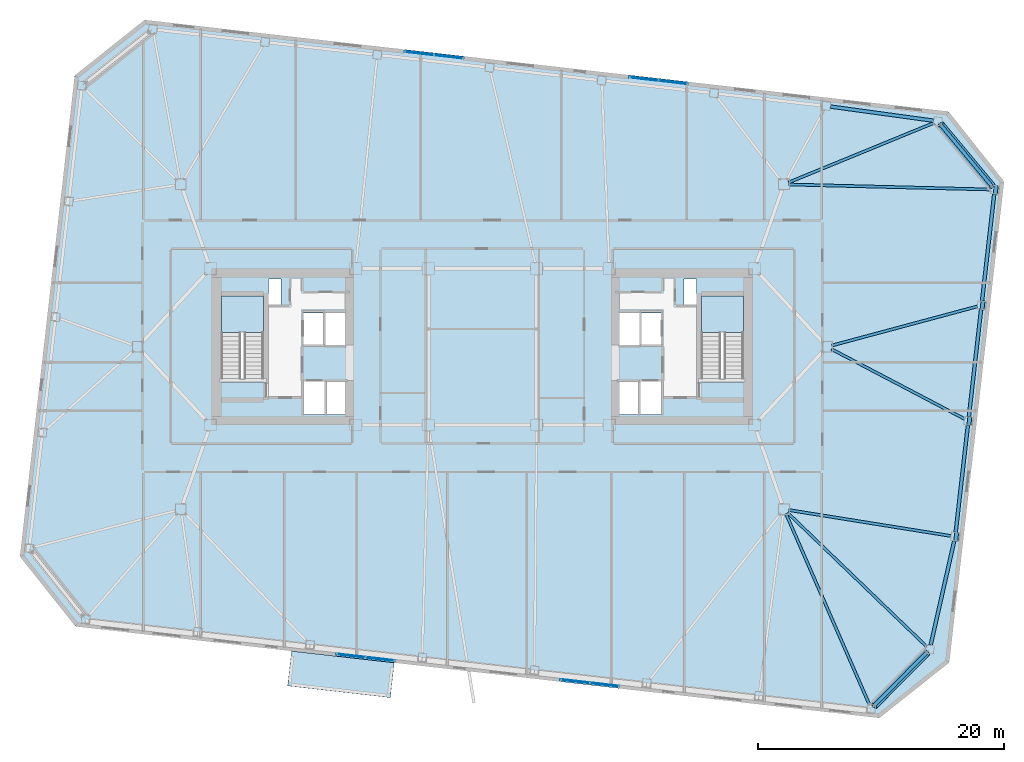
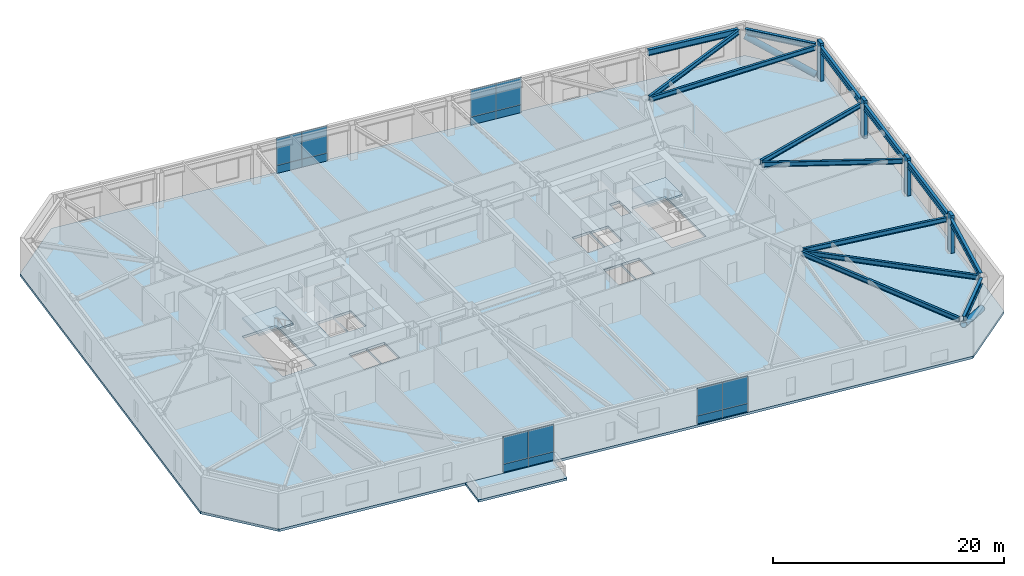
# One storey, part 10 of 20: 16 plates, 14 beams, 6 members, 4 slabs, 6 elements without a shape of their own.
"""IFC4 building model written with IfcOpenShell, lengths in metres."""

import ifcopenshell
import ifcopenshell.guid

model = None  # the IFC model being written
_history = None  # IfcOwnerHistory: only IFC2X3 demands one
_inside = {}  # id of a spatial element -> (the spatial element, [elements in it])
_under = {}  # id of a project, library or spatial element -> (it, [spatial elements below it])
_declared = {}  # id of a project -> (the project, [libraries it declares])
_typed = {}  # id of a type object -> (the type object, [elements of that type])
_made_of = {}  # id of a material, layer set ... -> (it, [elements and type objects made of it])


def new_model(schema):
    """Start an empty IFC model of exactly this schema.

    Asked for "IFC4X3", IfcOpenShell would pick the latest addendum, in which some entities
    have other attributes; the version numbers below select the first issue.
    IFC2X3 requires an IfcOwnerHistory on every rooted entity: one is made here for all.
    """
    global model, _history
    if schema == "IFC4X3":
        model = ifcopenshell.file(schema_version=(4, 3, 0, 0))
    else:
        model = ifcopenshell.file(schema=schema)
    _inside.clear()
    _under.clear()
    _declared.clear()
    _typed.clear()
    _made_of.clear()
    _history = None
    if model.schema == "IFC2X3":
        org = make("IfcOrganization", Name="unknown")
        user = make(
            "IfcPersonAndOrganization",
            ThePerson=make("IfcPerson", FamilyName="unknown"),
            TheOrganization=org,
        )
        app = make(
            "IfcApplication",
            ApplicationDeveloper=org,
            Version="unknown",
            ApplicationFullName="unknown",
            ApplicationIdentifier="unknown",
        )
        _history = make(
            "IfcOwnerHistory",
            OwningUser=user,
            OwningApplication=app,
            ChangeAction="ADDED",
            CreationDate=0,
        )
    return model


def make(cls, **values):
    """One entity of the class cls with the attributes given. An attribute that is None is left unset."""
    return model.create_entity(
        cls, **{name: value for name, value in values.items() if value is not None}
    )


def rooted(cls, **values):
    """An entity with a GlobalId (a new one), such as an element, a storey or a relation."""
    return make(cls, GlobalId=ifcopenshell.guid.new(), OwnerHistory=_history, **values)


def si_unit(unit_type, name, prefix=None):
    """IfcSIUnit, for example si_unit("LENGTHUNIT", "METRE", prefix="MILLI")."""
    return make("IfcSIUnit", UnitType=unit_type, Prefix=prefix, Name=name)


def assignment(units):
    """IfcUnitAssignment: the units of a project."""
    return None if units is None else make("IfcUnitAssignment", Units=units)


def point(xyz):
    """IfcCartesianPoint."""
    return None if xyz is None else make("IfcCartesianPoint", Coordinates=xyz)


def direction(xyz):
    """IfcDirection."""
    return None if xyz is None else make("IfcDirection", DirectionRatios=xyz)


def frame(location, z_axis=None, x_axis=None):
    """IfcAxis2Placement3D, a coordinate frame: its origin and axes. An axis left out is left unset."""
    return make(
        "IfcAxis2Placement3D",
        Location=point(location),
        Axis=direction(z_axis),
        RefDirection=direction(x_axis),
    )


def frame_2d(location, x_axis=None):
    """IfcAxis2Placement2D, a coordinate frame in the plane: its origin and x axis."""
    return make(
        "IfcAxis2Placement2D", Location=point(location), RefDirection=direction(x_axis)
    )


def origin():
    """The frame at (0, 0, 0) with its axes left unset."""
    return frame((0.0, 0.0, 0.0))


def origin_2d():
    """The frame at (0, 0) in the plane with its x axis left unset."""
    return frame_2d((0.0, 0.0))


def place(relative_to, where):
    """IfcLocalPlacement: puts the frame where relative to a parent placement (None: the world)."""
    return make(
        "IfcLocalPlacement", PlacementRelTo=relative_to, RelativePlacement=where
    )


def context(
    kind, dimensions, precision=None, world=None, true_north=None, identifier=None
):
    """IfcGeometricRepresentationContext, for example the 3D "Model" context."""
    return make(
        "IfcGeometricRepresentationContext",
        ContextIdentifier=identifier,
        ContextType=kind,
        CoordinateSpaceDimension=dimensions,
        Precision=precision,
        WorldCoordinateSystem=world,
        TrueNorth=true_north,
    )


def subcontext(parent, identifier, kind, view, scale=None):
    """IfcGeometricRepresentationSubContext, for example "Body" below "Model"."""
    return make(
        "IfcGeometricRepresentationSubContext",
        ContextIdentifier=identifier,
        ContextType=kind,
        ParentContext=parent,
        TargetScale=scale,
        TargetView=view,
    )


def project(units=None, contexts=None):
    """IfcProject with its units and contexts."""
    return rooted(
        "IfcProject",
        Name="project",
        RepresentationContexts=contexts,
        UnitsInContext=assignment(units),
    )


def spatial(cls, under=None, at=None, **own):
    """A site, building, storey or space (cls), placed at a placement, below another one or the project."""
    s = rooted(cls, ObjectPlacement=at, **own)
    if under is not None:
        _under.setdefault(under.id(), (under, []))[1].append(s)
    return s


def polyline(points):
    """IfcPolyline through the points."""
    return make("IfcPolyline", Points=[point(p) for p in points])


def profile(cls, at=None, kind="AREA", **sizes):
    """A parametric profile (cls). Its sizes go by their IFC names, for example OverallWidth=200.0."""
    return make(cls, ProfileType=kind, Position=at, **sizes)


def rectangle(**sizes):
    """IfcRectangleProfileDef."""
    return profile("IfcRectangleProfileDef", **sizes)


def hollow_circle(**sizes):
    """IfcCircleHollowProfileDef."""
    return profile("IfcCircleHollowProfileDef", **sizes)


def i_section(**sizes):
    """IfcIShapeProfileDef."""
    return profile("IfcIShapeProfileDef", **sizes)


def outline(outer, holes=None, kind="AREA"):
    """IfcArbitraryClosedProfileDef: a profile drawn as a closed curve; with holes, ...WithVoids."""
    if holes is None:
        return make("IfcArbitraryClosedProfileDef", ProfileType=kind, OuterCurve=outer)
    return make(
        "IfcArbitraryProfileDefWithVoids",
        ProfileType=kind,
        OuterCurve=outer,
        InnerCurves=holes,
    )


def extrude(swept, where, along, depth):
    """IfcExtrudedAreaSolid: the profile swept, set in the frame where, extruded along a direction by depth."""
    return make(
        "IfcExtrudedAreaSolid",
        SweptArea=swept,
        Position=where,
        ExtrudedDirection=direction(along),
        Depth=depth,
    )


def shape(context_of_items, identifier, shape_type, items):
    """IfcShapeRepresentation: the items that make up one representation, for example the "Body"."""
    return make(
        "IfcShapeRepresentation",
        ContextOfItems=context_of_items,
        RepresentationIdentifier=identifier,
        RepresentationType=shape_type,
        Items=items,
    )


def material(Name=None, Category=None):
    """IfcMaterial."""
    return make("IfcMaterial", Name=Name, Category=Category)


def layer(
    of_material, thickness, ventilated=None, Name=None, Category=None, Priority=None
):
    """IfcMaterialLayer: one layer of a wall or slab, of a material (None: an air gap)."""
    return make(
        "IfcMaterialLayer",
        Material=of_material,
        LayerThickness=thickness,
        IsVentilated=ventilated,
        Name=Name,
        Category=Category,
        Priority=Priority,
    )


def layer_set(layers, Name=None):
    """IfcMaterialLayerSet."""
    return make("IfcMaterialLayerSet", MaterialLayers=layers, LayerSetName=Name)


def material_profile(
    of_material, cross_section, Name=None, Category=None, Priority=None
):
    """IfcMaterialProfile: a cross section and its material."""
    return make(
        "IfcMaterialProfile",
        Name=Name,
        Material=of_material,
        Profile=cross_section,
        Priority=Priority,
        Category=Category,
    )


def profile_set(profiles, Name=None, composite=None):
    """IfcMaterialProfileSet."""
    return make(
        "IfcMaterialProfileSet",
        Name=Name,
        MaterialProfiles=profiles,
        CompositeProfile=composite,
    )


def made_of(thing, what):
    """Note that an element or type object is made of a material, layer set ...; save() writes the relation."""
    if what is not None:
        _made_of.setdefault(what.id(), (what, []))[1].append(thing)
    return thing


def type_object(cls, material=None, **own):
    """A type object (cls), such as IfcWallType, which elements share."""
    return made_of(rooted(cls, **own), material)


def element(
    cls,
    number,
    at=None,
    inside=None,
    cuts=None,
    type_object=None,
    material=None,
    context=None,
    identifier="Body",
    shape_type=None,
    held_by="IfcProductDefinitionShape",
    body=None,
    shapes=None,
    **own,
):
    """One element of the class cls, such as IfcWall. Its Tag is "e" and its number.

    at: its placement. inside: the storey or other place that contains it. cuts: it is an
    opening in that element (IfcRelVoidsElement). A single representation is given by context,
    identifier, shape_type and body (its items); several are given by shapes. held_by: the class
    of the entity that holds the representations. save() writes the other relations.
    """
    e = rooted(cls, Tag="e%d" % number, ObjectPlacement=at, **own)
    if body is not None:
        shapes = [shape(context, identifier, shape_type, body)]
    if shapes is not None:
        e.Representation = make(held_by, Representations=shapes)
    if inside is not None:
        _inside.setdefault(inside.id(), (inside, []))[1].append(e)
    if cuts is not None:
        rooted(
            "IfcRelVoidsElement", RelatingBuildingElement=cuts, RelatedOpeningElement=e
        )
    if type_object is not None:
        _typed.setdefault(type_object.id(), (type_object, []))[1].append(e)
    return made_of(e, material)


def aggregate(whole, parts):
    """IfcRelAggregates: a whole, such as a stair, and the parts it consists of."""
    return rooted("IfcRelAggregates", RelatingObject=whole, RelatedObjects=parts)


def save(model, path):
    """Write the relations noted so far, then the file.

    IfcRelAggregates (storeys below a building ...), IfcRelContainedInSpatialStructure (elements
    in a storey), IfcRelDefinesByType, IfcRelAssociatesMaterial and IfcRelDeclares: one each for
    every whole, place, type object, material and project.
    """
    for whole, parts in _under.values():
        aggregate(whole, parts)
    for where, things in _inside.values():
        rooted(
            "IfcRelContainedInSpatialStructure",
            RelatedElements=things,
            RelatingStructure=where,
        )
    for kind, things in _typed.values():
        rooted("IfcRelDefinesByType", RelatedObjects=things, RelatingType=kind)
    for what, things in _made_of.values():
        rooted("IfcRelAssociatesMaterial", RelatedObjects=things, RelatingMaterial=what)
    for by, libraries in _declared.values():
        rooted("IfcRelDeclares", RelatingContext=by, RelatedDefinitions=libraries)
    model.write(path)


model = new_model("IFC4")

# Units and contexts
model_context = context("Model", 3, precision=1e-05, world=origin(), true_north=direction((0.0, 1.0)))
body_context = subcontext(model_context, "Body", "Model", "MODEL_VIEW")
ifc_project = project(units=[si_unit("LENGTHUNIT", "METRE"), si_unit("AREAUNIT", "SQUARE_METRE"), si_unit("VOLUMEUNIT", "CUBIC_METRE"), si_unit("PLANEANGLEUNIT", "RADIAN"), si_unit("MASSUNIT", "GRAM", prefix="KILO")], contexts=[model_context])

# Site, building, storey
site_placement = place(None, origin())
site = spatial("IfcSite", under=ifc_project, at=site_placement, CompositionType="ELEMENT")
building_placement = place(site_placement, origin())
building = spatial("IfcBuilding", under=site, at=building_placement, Name="Tavrogorsk Clinical Tower", CompositionType="ELEMENT")
storey_placement = place(building_placement, frame((0.0, 0.0, 105.39990234375)))
storey = spatial("IfcBuildingStorey", under=building, at=storey_placement, Name="L23", CompositionType="ELEMENT", Elevation=105.39990234375)

# Members
ifc_material_1 = material(Name="Structural steel S440", Category="steel")
ifc_material_profile_1 = material_profile(ifc_material_1, hollow_circle(Radius=0.304931640625, WallThickness=0.02490234375, at=origin_2d()), Name="CHS-610x25")
ifc_profile_set_1 = profile_set([ifc_material_profile_1], Name="Structural steel S440")
member_type_1 = type_object("IfcMemberType", Name="ExoBrace_CHS610", PredefinedType="BRACE", material=ifc_profile_set_1)
member_1_placement = place(storey_placement, frame((36.1025390625, -24.82763671875, 0.4345703125), z_axis=(-0.651430241483, -0.659222469252, 0.375585378463), x_axis=(0.711298174517, -0.702890394677, 0.0)))
element("IfcMember", 1, at=member_1_placement, inside=storey, type_object=member_type_1, Name="L23 Corner Exoskeleton Brace S8-E1", PredefinedType="BRACE", context=body_context, shape_type="SweptSolid", body=[
    extrude(hollow_circle(Radius=0.304931640625, WallThickness=0.02490234375, at=origin_2d()), origin(), (0.0, 0.0, 1.0), 6.57958984375),
])
member_2_placement = place(storey_placement, frame((41.40771484375, 13.03076171875, 0.427001953125), z_axis=(-0.598616328588, 0.718269947263, 0.354607915882), x_axis=(-0.768190751014, -0.640221032189, 0.0)))
element("IfcMember", 2, at=member_2_placement, inside=storey, type_object=member_type_1, Name="L23 Corner Exoskeleton Brace E5-N1", PredefinedType="BRACE", context=body_context, shape_type="SweptSolid", body=[
    extrude(hollow_circle(Radius=0.304931640625, WallThickness=0.02490234375, at=origin_2d()), origin(), (0.0, 0.0, 1.0), 7.0107421875),
])

# Beams
ifc_material_2 = material(Name="Structural steel S355", Category="steel")
ifc_material_profile_2 = material_profile(ifc_material_2, i_section(OverallWidth=0.219970703125, OverallDepth=0.5, WebThickness=0.012939453125, FlangeThickness=0.02001953125, at=origin_2d()), Name="B-500x220x13x20")
ifc_profile_set_2 = profile_set([ifc_material_profile_2], Name="Structural steel S355")
beam_type_1 = type_object("IfcBeamType", Name="FloorBeam_B500", PredefinedType="BEAM", material=ifc_profile_set_2)
beam_1_placement = place(storey_placement, frame((24.664306640625, -13.57568359375, 3.489990234375), z_axis=(0.400586354613, -0.916259009504, 0.0), x_axis=(0.916259009504, 0.400586354613, 0.0)))
element("IfcBeam", 3, at=beam_1_placement, inside=storey, type_object=beam_type_1, Name="L23 Radial Floor Beam S8", PredefinedType="BEAM", context=body_context, shape_type="SweptSolid", body=[
    extrude(i_section(OverallWidth=0.219970703125, OverallDepth=0.5, WebThickness=0.012939453125, FlangeThickness=0.02001953125, at=origin_2d()), origin(), (0.0, 0.0, 1.0), 16.91357421875),
])
beam_2_placement = place(storey_placement, frame((24.87939453125, 13.35546875, 3.489990234375), z_axis=(0.925250223374, 0.379357383143, 0.0), x_axis=(-0.379357383143, 0.925250223374, 0.0)))
element("IfcBeam", 4, at=beam_2_placement, inside=storey, type_object=beam_type_1, Name="L23 Radial Floor Beam N1", PredefinedType="BEAM", context=body_context, shape_type="SweptSolid", body=[
    extrude(i_section(OverallWidth=0.219970703125, OverallDepth=0.5, WebThickness=0.012939453125, FlangeThickness=0.02001953125, at=origin_2d()), origin(), (0.0, 0.0, 1.0), 12.738037109375),
])
beam_3_placement = place(storey_placement, frame((24.79541015625, -13.484375, 3.489990234375), z_axis=(0.720494740362, -0.693460401977, 0.0), x_axis=(0.693460401977, 0.720494740362, 0.0)))
element("IfcBeam", 5, at=beam_3_placement, inside=storey, type_object=beam_type_1, Name="L23 Radial Floor Beam E1", PredefinedType="BEAM", context=body_context, shape_type="SweptSolid", body=[
    extrude(i_section(OverallWidth=0.219970703125, OverallDepth=0.5, WebThickness=0.012939453125, FlangeThickness=0.02001953125, at=origin_2d()), origin(), (0.0, 0.0, 1.0), 15.659423828125),
])
beam_4_placement = place(storey_placement, frame((24.90478515625, -13.2646484375, 3.489990234375), z_axis=(0.987456527754, -0.157891120067, 0.0), x_axis=(0.157891120067, 0.987456527754, 0.0)))
element("IfcBeam", 6, at=beam_4_placement, inside=storey, type_object=beam_type_1, Name="L23 Radial Floor Beam E2", PredefinedType="BEAM", context=body_context, shape_type="SweptSolid", body=[
    extrude(i_section(OverallWidth=0.219970703125, OverallDepth=0.5, WebThickness=0.012939453125, FlangeThickness=0.02001953125, at=origin_2d()), origin(), (0.0, 0.0, 1.0), 13.31787109375),
])
beam_5_placement = place(storey_placement, frame((28.363037109375, -0.1904296875, 3.489990234375), z_axis=(0.885467298335, -0.464701693111, 0.0), x_axis=(0.464701693111, 0.885467298335, 0.0)))
element("IfcBeam", 7, at=beam_5_placement, inside=storey, type_object=beam_type_1, Name="L23 Radial Floor Beam E3", PredefinedType="BEAM", context=body_context, shape_type="SweptSolid", body=[
    extrude(i_section(OverallWidth=0.219970703125, OverallDepth=0.5, WebThickness=0.012939453125, FlangeThickness=0.02001953125, at=origin_2d()), origin(), (0.0, 0.0, 1.0), 12.197021484375),
])
beam_6_placement = place(storey_placement, frame((28.39599609375, 0.1064453125, 3.489990234375), z_axis=(0.965705720144, 0.259639099677, 0.0), x_axis=(-0.259639099677, 0.965705720144, 0.0)))
element("IfcBeam", 8, at=beam_6_placement, inside=storey, type_object=beam_type_1, Name="L23 Radial Floor Beam E4", PredefinedType="BEAM", context=body_context, shape_type="SweptSolid", body=[
    extrude(i_section(OverallWidth=0.219970703125, OverallDepth=0.5, WebThickness=0.012939453125, FlangeThickness=0.02001953125, at=origin_2d()), origin(), (0.0, 0.0, 1.0), 12.228759765625),
])
beam_7_placement = place(storey_placement, frame((24.909912109375, 13.189697265625, 3.489990234375), z_axis=(0.999690121031, -0.024893009314, 0.0), x_axis=(0.024893009314, 0.999690121031, 0.0)))
element("IfcBeam", 9, at=beam_7_placement, inside=storey, type_object=beam_type_1, Name="L23 Radial Floor Beam E5", PredefinedType="BEAM", context=body_context, shape_type="SweptSolid", body=[
    extrude(i_section(OverallWidth=0.219970703125, OverallDepth=0.5, WebThickness=0.012939453125, FlangeThickness=0.02001953125, at=origin_2d()), origin(), (0.0, 0.0, 1.0), 16.359130859375),
])

# Members
ifc_material_3 = material(Name="Precast concrete B45 with limestone cladding", Category="masonry")
ifc_material_profile_3 = material_profile(ifc_material_3, rectangle(XDim=0.320068359375, YDim=0.719970703125, at=origin_2d()), Name="LIMESTONE-FIN-320x720")
ifc_profile_set_3 = profile_set([ifc_material_profile_3], Name="Precast concrete B45 with limestone cladding")
member_type_2 = type_object("IfcMemberType", Name="LimestonePleatFin_320x720", PredefinedType="USERDEFINED", material=ifc_profile_set_3)
for number, where, z_axis, x_axis, name in (
    (10, (38.48876953125, -15.432861328125, 0.0), (0.0, 0.0, 1.0), (0.993571855677, -0.113203213768, 0.0), "L23 E Pleated Stone Fin 1"),
    (11, (39.5595703125, -6.03369140625, 0.0), (0.0, 0.0, 1.0), (0.993571855677, -0.113203213768, 0.0), "L23 E Pleated Stone Fin 2"),
    (12, (40.63037109375, 3.365234375, 0.0), (0.0, 0.0, 1.0), (0.993571855677, -0.113203213768, 0.0), "L23 E Pleated Stone Fin 3"),
    (13, (41.701416015625, 12.7646484375, 0.0), (0.0, 0.0, 1.0), (0.993571855677, -0.113203213768, 0.0), "L23 E Pleated Stone Fin 4"),
):
    element("IfcMember", number, at=place(storey_placement, frame(where, z_axis=z_axis, x_axis=x_axis)), inside=storey, type_object=member_type_2, Name=name, ObjectType="FIN", PredefinedType="USERDEFINED", context=body_context, shape_type="SweptSolid", body=[
        extrude(rectangle(XDim=0.320068359375, YDim=0.719970703125, at=origin_2d()), origin(), (0.0, 0.0, 1.0), 4.0),
    ])

# Beams
ifc_material_4 = material(Name="Structural steel S390", Category="steel")
ifc_material_profile_4 = material_profile(ifc_material_4, i_section(OverallWidth=0.280029296875, OverallDepth=0.64990234375, WebThickness=0.01611328125, FlangeThickness=0.02490234375, at=origin_2d()), Name="B-650x280x16x25")
ifc_profile_set_4 = profile_set([ifc_material_profile_4], Name="Structural steel S390")
beam_type_2 = type_object("IfcBeamType", Name="SpandrelBeam_B650", PredefinedType="SPANDREL", material=ifc_profile_set_4)
beam_8_placement = place(storey_placement, frame((31.834716796875, -29.146240234375, 3.4150390625), z_axis=(0.702934929184, 0.711254163667, 0.0), x_axis=(-0.711254163667, 0.702934929184, 0.0)))
element("IfcBeam", 14, at=beam_8_placement, inside=storey, type_object=beam_type_2, Name="L23 Perimeter Spandrel S8-E1", PredefinedType="SPANDREL", context=body_context, shape_type="SweptSolid", body=[
    extrude(i_section(OverallWidth=0.280029296875, OverallDepth=0.64990234375, WebThickness=0.01611328125, FlangeThickness=0.02490234375, at=origin_2d()), origin(), (0.0, 0.0, 1.0), 6.04541015625),
])
beam_9_placement = place(storey_placement, frame((36.414794921875, -24.242431640625, 3.4150390625), z_axis=(0.220602599501, 0.975363774749, 0.0), x_axis=(-0.975363774749, 0.220602599501, 0.0)))
element("IfcBeam", 15, at=beam_9_placement, inside=storey, type_object=beam_type_2, Name="L23 Perimeter Spandrel E1-E2", PredefinedType="SPANDREL", context=body_context, shape_type="SweptSolid", body=[
    extrude(i_section(OverallWidth=0.280029296875, OverallDepth=0.64990234375, WebThickness=0.01611328125, FlangeThickness=0.02490234375, at=origin_2d()), origin(), (0.0, 0.0, 1.0), 8.68310546875),
])
for number, where, z_axis, x_axis, name in (
    (16, (38.44970703125, -15.068115234375, 3.4150390625), (0.113192226434, 0.993573107464, 0.0), (-0.993573107464, 0.113192226434, 0.0), "L23 Perimeter Spandrel E2-E3"),
    (17, (39.520751953125, -5.6689453125, 3.4150390625), (0.113192226434, 0.993573107464, 0.0), (-0.993573107464, 0.113192226434, 0.0), "L23 Perimeter Spandrel E3-E4"),
):
    element("IfcBeam", number, at=place(storey_placement, frame(where, z_axis=z_axis, x_axis=x_axis)), inside=storey, type_object=beam_type_2, Name=name, PredefinedType="SPANDREL", context=body_context, shape_type="SweptSolid", body=[
        extrude(i_section(OverallWidth=0.280029296875, OverallDepth=0.64990234375, WebThickness=0.01611328125, FlangeThickness=0.02490234375, at=origin_2d()), origin(), (0.0, 0.0, 1.0), 8.743896484375),
    ])
beam_10_placement = place(storey_placement, frame((40.591552734375, 3.72998046875, 3.4150390625), z_axis=(0.113189086379, 0.993573465188, 0.0), x_axis=(-0.993573465188, 0.113189086379, 0.0)))
element("IfcBeam", 18, at=beam_10_placement, inside=storey, type_object=beam_type_2, Name="L23 Perimeter Spandrel E4-E5", PredefinedType="SPANDREL", context=body_context, shape_type="SweptSolid", body=[
    extrude(i_section(OverallWidth=0.280029296875, OverallDepth=0.64990234375, WebThickness=0.01611328125, FlangeThickness=0.02490234375, at=origin_2d()), origin(), (0.0, 0.0, 1.0), 8.744140625),
])
beam_11_placement = place(storey_placement, frame((41.392578125, 13.048583984375, 3.4150390625), z_axis=(-0.640191778751, 0.768215130299, 0.0), x_axis=(-0.768215130299, -0.640191778751, 0.0)))
element("IfcBeam", 19, at=beam_11_placement, inside=storey, type_object=beam_type_2, Name="L23 Perimeter Spandrel E5-N1", PredefinedType="SPANDREL", context=body_context, shape_type="SweptSolid", body=[
    extrude(i_section(OverallWidth=0.280029296875, OverallDepth=0.64990234375, WebThickness=0.01611328125, FlangeThickness=0.02490234375, at=origin_2d()), origin(), (0.0, 0.0, 1.0), 6.508544921875),
])
beam_12_placement = place(storey_placement, frame((36.641845703125, 18.3720703125, 3.4150390625), z_axis=(-0.990722121657, 0.135903192232, 0.0), x_axis=(-0.135903192232, -0.990722121657, 0.0)))
element("IfcBeam", 20, at=beam_12_placement, inside=storey, type_object=beam_type_2, Name="L23 Perimeter Spandrel N1-N2", PredefinedType="SPANDREL", context=body_context, shape_type="SweptSolid", body=[
    extrude(i_section(OverallWidth=0.280029296875, OverallDepth=0.64990234375, WebThickness=0.01611328125, FlangeThickness=0.02490234375, at=origin_2d()), origin(), (0.0, 0.0, 1.0), 8.439697265625),
])

# Curtain wall, plates
ifc_material_5 = material(Name="Anodised aluminium and triple IGU glazing", Category="aluminium")
ifc_layer_1 = layer(ifc_material_5, 0.179931640625)
ifc_layer_set_1 = layer_set([ifc_layer_1], Name="Anodised aluminium and triple IGU glazing")
curtain_wall_type_1 = type_object("IfcCurtainWallType", Name="CW3_SouthSlot", PredefinedType="NOTDEFINED", material=ifc_layer_set_1)
curtain_wall_1_placement = place(storey_placement, origin())
curtain_wall_1 = element("IfcCurtainWall", 21, at=curtain_wall_1_placement, inside=storey, type_object=curtain_wall_type_1, Name="L23 Curtain Wall CW-L23-S-SLOT-1", PredefinedType="NOTDEFINED")
ifc_material_6 = material(Name="Honed Podolsk limestone spandrel panel", Category="masonry")
ifc_layer_2 = layer(ifc_material_6, 0.080078125)
ifc_layer_set_2 = layer_set([ifc_layer_2], Name="Honed Podolsk limestone spandrel panel")
plate_type_1 = type_object("IfcPlateType", Name="CwSpandrelStonePanel_80", PredefinedType="CURTAIN_PANEL", material=ifc_layer_set_2)
plate_1_placement = place(storey_placement, frame((-10.70654296875, -25.095947265625, 0.002197265625), z_axis=(0.0, 0.0, 1.0), x_axis=(0.993571855603, -0.11320321441, 0.0)))
plate_1 = element("IfcPlate", 22, at=plate_1_placement, type_object=plate_type_1, Name="CW-L23-S-SLOT-1 Stone Spandrel Panel 1", PredefinedType="CURTAIN_PANEL", context=body_context, shape_type="SweptSolid", body=[
    extrude(rectangle(XDim=2.39208984375, YDim=0.080078125, at=origin_2d()), origin(), (0.0, 0.0, 1.0), 0.8359375),
])
plate_2_placement = place(storey_placement, frame((-8.30615234375, -25.36962890625, 0.002197265625), z_axis=(0.0, 0.0, 1.0), x_axis=(0.993571855603, -0.11320321441, 0.0)))
plate_2 = element("IfcPlate", 23, at=plate_2_placement, type_object=plate_type_1, Name="CW-L23-S-SLOT-1 Stone Spandrel Panel 2", PredefinedType="CURTAIN_PANEL", context=body_context, shape_type="SweptSolid", body=[
    extrude(rectangle(XDim=2.39208984375, YDim=0.080078125, at=origin_2d()), origin(), (0.0, 0.0, 1.0), 0.8359375),
])

curtain_wall_2_placement = place(storey_placement, origin())
curtain_wall_2 = element("IfcCurtainWall", 24, at=curtain_wall_2_placement, inside=storey, type_object=curtain_wall_type_1, Name="L23 Curtain Wall CW-L23-S-SLOT-2", PredefinedType="NOTDEFINED")
plate_3_placement = place(storey_placement, frame((7.52978515625, -27.173828125, 0.002197265625), z_axis=(0.0, 0.0, 1.0), x_axis=(0.993571858269, -0.113203191016, 0.0)))
plate_3 = element("IfcPlate", 25, at=plate_3_placement, type_object=plate_type_1, Name="CW-L23-S-SLOT-2 Stone Spandrel Panel 1", PredefinedType="CURTAIN_PANEL", context=body_context, shape_type="SweptSolid", body=[
    extrude(rectangle(XDim=2.39208984375, YDim=0.080078125, at=origin_2d()), origin(), (0.0, 0.0, 1.0), 0.8359375),
])
plate_4_placement = place(storey_placement, frame((9.93017578125, -27.447265625, 0.002197265625), z_axis=(0.0, 0.0, 1.0), x_axis=(0.993571858269, -0.113203191016, 0.0)))
plate_4 = element("IfcPlate", 26, at=plate_4_placement, type_object=plate_type_1, Name="CW-L23-S-SLOT-2 Stone Spandrel Panel 2", PredefinedType="CURTAIN_PANEL", context=body_context, shape_type="SweptSolid", body=[
    extrude(rectangle(XDim=2.39208984375, YDim=0.080078125, at=origin_2d()), origin(), (0.0, 0.0, 1.0), 0.8359375),
])

ifc_material_7 = material(Name="Anodised aluminium and triple IGU glazing", Category="aluminium")
ifc_layer_3 = layer(ifc_material_7, 0.179931640625)
ifc_layer_set_3 = layer_set([ifc_layer_3], Name="Anodised aluminium and triple IGU glazing")
curtain_wall_type_2 = type_object("IfcCurtainWallType", Name="CW2_NorthSlot", PredefinedType="NOTDEFINED", material=ifc_layer_set_3)
curtain_wall_3_placement = place(storey_placement, origin())
curtain_wall_3 = element("IfcCurtainWall", 27, at=curtain_wall_3_placement, inside=storey, type_object=curtain_wall_type_2, Name="L23 Curtain Wall CW-L23-N-SLOT-1", PredefinedType="NOTDEFINED")
plate_5_placement = place(storey_placement, frame((-2.729736328125, 23.57373046875, 0.002197265625), z_axis=(0.0, 0.0, 1.0), x_axis=(-0.993571858269, 0.113203191016, 0.0)))
plate_5 = element("IfcPlate", 28, at=plate_5_placement, type_object=plate_type_1, Name="CW-L23-N-SLOT-1 Stone Spandrel Panel 1", PredefinedType="CURTAIN_PANEL", context=body_context, shape_type="SweptSolid", body=[
    extrude(rectangle(XDim=2.39208984375, YDim=0.080078125, at=origin_2d()), origin(), (0.0, 0.0, 1.0), 0.8359375),
])
plate_6_placement = place(storey_placement, frame((-5.130126953125, 23.847412109375, 0.002197265625), z_axis=(0.0, 0.0, 1.0), x_axis=(-0.993571858269, 0.113203191016, 0.0)))
plate_6 = element("IfcPlate", 29, at=plate_6_placement, type_object=plate_type_1, Name="CW-L23-N-SLOT-1 Stone Spandrel Panel 2", PredefinedType="CURTAIN_PANEL", context=body_context, shape_type="SweptSolid", body=[
    extrude(rectangle(XDim=2.39208984375, YDim=0.080078125, at=origin_2d()), origin(), (0.0, 0.0, 1.0), 0.8359375),
])

curtain_wall_4_placement = place(storey_placement, origin())
curtain_wall_4 = element("IfcCurtainWall", 30, at=curtain_wall_4_placement, inside=storey, type_object=curtain_wall_type_2, Name="L23 Curtain Wall CW-L23-N-SLOT-2", PredefinedType="NOTDEFINED")
plate_7_placement = place(storey_placement, frame((15.506591796875, 21.49609375, 0.002197265625), z_axis=(0.0, 0.0, 1.0), x_axis=(-0.993571855603, 0.11320321441, 0.0)))
plate_7 = element("IfcPlate", 31, at=plate_7_placement, type_object=plate_type_1, Name="CW-L23-N-SLOT-2 Stone Spandrel Panel 1", PredefinedType="CURTAIN_PANEL", context=body_context, shape_type="SweptSolid", body=[
    extrude(rectangle(XDim=2.39208984375, YDim=0.080078125, at=origin_2d()), origin(), (0.0, 0.0, 1.0), 0.8359375),
])
plate_8_placement = place(storey_placement, frame((13.106201171875, 21.76953125, 0.002197265625), z_axis=(0.0, 0.0, 1.0), x_axis=(-0.993571855603, 0.11320321441, 0.0)))
plate_8 = element("IfcPlate", 32, at=plate_8_placement, type_object=plate_type_1, Name="CW-L23-N-SLOT-2 Stone Spandrel Panel 2", PredefinedType="CURTAIN_PANEL", context=body_context, shape_type="SweptSolid", body=[
    extrude(rectangle(XDim=2.39208984375, YDim=0.080078125, at=origin_2d()), origin(), (0.0, 0.0, 1.0), 0.8359375),
])

# Plate
ifc_material_8 = material(Name="Triple low-E argon insulated glass", Category="glass")
ifc_layer_4 = layer(ifc_material_8, 0.048095703125)
ifc_layer_set_4 = layer_set([ifc_layer_4], Name="Triple low-E argon insulated glass")
plate_type_2 = type_object("IfcPlateType", Name="CwVisionGlassPanel_48", PredefinedType="CURTAIN_PANEL", material=ifc_layer_set_4)
plate_9_placement = place(storey_placement, frame((-10.70654296875, -25.095947265625, 0.862060546875), z_axis=(0.0, 0.0, 1.0), x_axis=(0.993571855603, -0.11320321441, 0.0)))
plate_9 = element("IfcPlate", 33, at=plate_9_placement, type_object=plate_type_2, Name="CW-L23-S-SLOT-1 Glazing Panel 1", PredefinedType="CURTAIN_PANEL", context=body_context, shape_type="SweptSolid", body=[
    extrude(rectangle(XDim=2.39208984375, YDim=0.048095703125, at=origin_2d()), origin(), (0.0, 0.0, 1.0), 2.8759765625),
])

plate_10_placement = place(storey_placement, frame((-8.30615234375, -25.36962890625, 0.862060546875), z_axis=(0.0, 0.0, 1.0), x_axis=(0.993571855603, -0.11320321441, 0.0)))
plate_10 = element("IfcPlate", 34, at=plate_10_placement, type_object=plate_type_2, Name="CW-L23-S-SLOT-1 Glazing Panel 2", PredefinedType="CURTAIN_PANEL", context=body_context, shape_type="SweptSolid", body=[
    extrude(rectangle(XDim=2.39208984375, YDim=0.048095703125, at=origin_2d()), origin(), (0.0, 0.0, 1.0), 2.8759765625),
])

aggregate(curtain_wall_1, [plate_1, plate_9, plate_2, plate_10])

plate_11_placement = place(storey_placement, frame((7.52978515625, -27.173828125, 0.862060546875), z_axis=(0.0, 0.0, 1.0), x_axis=(0.993571858269, -0.113203191016, 0.0)))
plate_11 = element("IfcPlate", 35, at=plate_11_placement, type_object=plate_type_2, Name="CW-L23-S-SLOT-2 Glazing Panel 1", PredefinedType="CURTAIN_PANEL", context=body_context, shape_type="SweptSolid", body=[
    extrude(rectangle(XDim=2.39208984375, YDim=0.048095703125, at=origin_2d()), origin(), (0.0, 0.0, 1.0), 2.8759765625),
])

plate_12_placement = place(storey_placement, frame((9.93017578125, -27.447265625, 0.862060546875), z_axis=(0.0, 0.0, 1.0), x_axis=(0.993571858269, -0.113203191016, 0.0)))
plate_12 = element("IfcPlate", 36, at=plate_12_placement, type_object=plate_type_2, Name="CW-L23-S-SLOT-2 Glazing Panel 2", PredefinedType="CURTAIN_PANEL", context=body_context, shape_type="SweptSolid", body=[
    extrude(rectangle(XDim=2.39208984375, YDim=0.048095703125, at=origin_2d()), origin(), (0.0, 0.0, 1.0), 2.8759765625),
])

aggregate(curtain_wall_2, [plate_3, plate_11, plate_4, plate_12])

plate_13_placement = place(storey_placement, frame((-2.729736328125, 23.57373046875, 0.862060546875), z_axis=(0.0, 0.0, 1.0), x_axis=(-0.993571858269, 0.113203191016, 0.0)))
plate_13 = element("IfcPlate", 37, at=plate_13_placement, type_object=plate_type_2, Name="CW-L23-N-SLOT-1 Glazing Panel 1", PredefinedType="CURTAIN_PANEL", context=body_context, shape_type="SweptSolid", body=[
    extrude(rectangle(XDim=2.39208984375, YDim=0.048095703125, at=origin_2d()), origin(), (0.0, 0.0, 1.0), 2.8759765625),
])

plate_14_placement = place(storey_placement, frame((-5.130126953125, 23.847412109375, 0.862060546875), z_axis=(0.0, 0.0, 1.0), x_axis=(-0.993571858269, 0.113203191016, 0.0)))
plate_14 = element("IfcPlate", 38, at=plate_14_placement, type_object=plate_type_2, Name="CW-L23-N-SLOT-1 Glazing Panel 2", PredefinedType="CURTAIN_PANEL", context=body_context, shape_type="SweptSolid", body=[
    extrude(rectangle(XDim=2.39208984375, YDim=0.048095703125, at=origin_2d()), origin(), (0.0, 0.0, 1.0), 2.8759765625),
])

aggregate(curtain_wall_3, [plate_5, plate_13, plate_6, plate_14])

plate_15_placement = place(storey_placement, frame((15.506591796875, 21.49609375, 0.862060546875), z_axis=(0.0, 0.0, 1.0), x_axis=(-0.993571855603, 0.11320321441, 0.0)))
plate_15 = element("IfcPlate", 39, at=plate_15_placement, type_object=plate_type_2, Name="CW-L23-N-SLOT-2 Glazing Panel 1", PredefinedType="CURTAIN_PANEL", context=body_context, shape_type="SweptSolid", body=[
    extrude(rectangle(XDim=2.39208984375, YDim=0.048095703125, at=origin_2d()), origin(), (0.0, 0.0, 1.0), 2.8759765625),
])

plate_16_placement = place(storey_placement, frame((13.106201171875, 21.76953125, 0.862060546875), z_axis=(0.0, 0.0, 1.0), x_axis=(-0.993571855603, 0.11320321441, 0.0)))
plate_16 = element("IfcPlate", 40, at=plate_16_placement, type_object=plate_type_2, Name="CW-L23-N-SLOT-2 Glazing Panel 2", PredefinedType="CURTAIN_PANEL", context=body_context, shape_type="SweptSolid", body=[
    extrude(rectangle(XDim=2.39208984375, YDim=0.048095703125, at=origin_2d()), origin(), (0.0, 0.0, 1.0), 2.8759765625),
])

aggregate(curtain_wall_4, [plate_7, plate_15, plate_8, plate_16])

# Slab
ifc_material_9 = material(Name="Concrete B60", Category="concrete")
ifc_layer_5 = layer(ifc_material_9, 0.239990234375)
ifc_layer_set_5 = layer_set([ifc_layer_5], Name="Concrete B60")
slab_type_1 = type_object("IfcSlabType", Name="DayroomSlab_240", PredefinedType="FLOOR", material=ifc_layer_set_5)
slab_1_placement = place(storey_placement, frame((0.0, 0.0, -0.239990234375)))
element("IfcSlab", 41, at=slab_1_placement, inside=storey, type_object=slab_type_1, Name="L23 Day-Room Box Roof DRB-03", PredefinedType="ROOF", context=body_context, shape_type="SweptSolid", body=[
    extrude(outline(polyline([(-7.486328125, -28.50244140625), (-15.83251953125, -27.551513671875), (-15.509765625, -24.719970703125), (-7.163818359375, -25.6708984375), (-7.486328125, -28.50244140625)])), origin(), (0.0, 0.0, 1.0), 0.239990234375),
])

# Stair, slab
ifc_material_10 = material(Name="Concrete B60", Category="concrete")
stair_type = type_object("IfcStairType", Name="CoreStairAssembly", PredefinedType="HALF_TURN_STAIR", material=ifc_material_10)
stair_1_placement = place(storey_placement, origin())
stair_1 = element("IfcStair", 42, at=stair_1_placement, inside=storey, type_object=stair_type, Name="L23 ST-W", PredefinedType="HALF_TURN_STAIR")
ifc_material_11 = material(Name="Concrete B60", Category="concrete")
ifc_layer_6 = layer(ifc_material_11, 0.199951171875)
ifc_layer_set_6 = layer_set([ifc_layer_6], Name="Concrete B60")
slab_type_2 = type_object("IfcSlabType", Name="StairLanding_200", PredefinedType="LANDING", material=ifc_layer_set_6)
slab_2_placement = place(storey_placement, frame((0.0, 0.0, 1.800048828125)))
slab_2 = element("IfcSlab", 43, at=slab_2_placement, type_object=slab_type_2, Name="ST-W landing 1", PredefinedType="LANDING", context=body_context, shape_type="SweptSolid", body=[
    extrude(outline(polyline([(-17.800048828125, 1.1650390625), (-17.800048828125, 4.125), (-21.199951171875, 4.125), (-21.199951171875, 1.1650390625), (-17.800048828125, 1.1650390625)])), origin(), (0.0, 0.0, 1.0), 0.199951171875),
])
aggregate(stair_1, [slab_2])

stair_2_placement = place(storey_placement, origin())
stair_2 = element("IfcStair", 44, at=stair_2_placement, inside=storey, type_object=stair_type, Name="L23 ST-E", PredefinedType="HALF_TURN_STAIR")
slab_3_placement = place(storey_placement, frame((0.0, 0.0, 1.800048828125)))
slab_3 = element("IfcSlab", 45, at=slab_3_placement, type_object=slab_type_2, Name="ST-E landing 1", PredefinedType="LANDING", context=body_context, shape_type="SweptSolid", body=[
    extrude(outline(polyline([(21.199951171875, 1.1650390625), (21.199951171875, 4.125), (17.800048828125, 4.125), (17.800048828125, 1.1650390625), (21.199951171875, 1.1650390625)])), origin(), (0.0, 0.0, 1.0), 0.199951171875),
])
aggregate(stair_2, [slab_3])

# Slab
ifc_material_12 = material(Name="Concrete B60", Category="concrete")
ifc_layer_7 = layer(ifc_material_12, 0.260009765625)
ifc_layer_set_7 = layer_set([ifc_layer_7], Name="Concrete B60")
slab_type_3 = type_object("IfcSlabType", Name="WardSlab_260", PredefinedType="FLOOR", material=ifc_layer_set_7)
slab_4_placement = place(storey_placement, frame((0.0, 0.0, -0.260009765625)))
element("IfcSlab", 46, at=slab_4_placement, inside=storey, type_object=slab_type_3, Name="L23 Structural Slab", PredefinedType="FLOOR", context=body_context, shape_type="SweptSolid", body=[
    extrude(outline(polyline([(-32.99658203125, -22.7275390625), (32.181640625, -30.153564453125), (37.93701171875, -25.57568359375), (42.37451171875, 13.372314453125), (37.796630859375, 19.12744140625), (-27.381591796875, 26.5537109375), (-33.136962890625, 21.9755859375), (-37.574462890625, -16.972412109375), (-32.99658203125, -22.7275390625)]), holes=[polyline([(-17.800048828125, -2.8798828125), (-17.800048828125, 4.125), (-21.199951171875, 4.125), (-21.199951171875, -2.8798828125), (-17.800048828125, -2.8798828125)]), polyline([(21.199951171875, -2.8798828125), (21.199951171875, 4.125), (17.800048828125, 4.125), (17.800048828125, -2.8798828125), (21.199951171875, -2.8798828125)]), polyline([(-14.6201171875, 0.169921875), (-12.860107421875, 0.169921875), (-12.860107421875, 2.72998046875), (-14.6201171875, 2.72998046875), (-14.6201171875, 0.169921875)]), polyline([(-14.530029296875, -5.47998046875), (-12.77001953125, -5.47998046875), (-12.77001953125, -2.820068359375), (-14.530029296875, -2.820068359375), (-14.530029296875, -5.47998046875)]), polyline([(-12.72998046875, -5.47998046875), (-10.969970703125, -5.47998046875), (-10.969970703125, -2.820068359375), (-12.72998046875, -2.820068359375), (-12.72998046875, -5.47998046875)]), polyline([(-12.840087890625, 0.1201171875), (-11.080078125, 0.1201171875), (-11.080078125, 2.780029296875), (-12.840087890625, 2.780029296875), (-12.840087890625, 0.1201171875)]), polyline([(12.860107421875, 0.169921875), (14.6201171875, 0.169921875), (14.6201171875, 2.72998046875), (12.860107421875, 2.72998046875), (12.860107421875, 0.169921875)]), polyline([(12.77001953125, -5.47998046875), (14.530029296875, -5.47998046875), (14.530029296875, -2.820068359375), (12.77001953125, -2.820068359375), (12.77001953125, -5.47998046875)]), polyline([(10.969970703125, -5.47998046875), (12.72998046875, -5.47998046875), (12.72998046875, -2.820068359375), (10.969970703125, -2.820068359375), (10.969970703125, -5.47998046875)]), polyline([(11.080078125, 0.1201171875), (12.840087890625, 0.1201171875), (12.840087890625, 2.780029296875), (11.080078125, 2.780029296875), (11.080078125, 0.1201171875)]), polyline([(-17.3798828125, 3.449951171875), (-16.3798828125, 3.449951171875), (-16.3798828125, 5.5), (-17.3798828125, 5.5), (-17.3798828125, 3.449951171875)]), polyline([(16.3798828125, 3.449951171875), (17.3798828125, 3.449951171875), (17.3798828125, 5.5), (16.3798828125, 5.5), (16.3798828125, 3.449951171875)])]), origin(), (0.0, 0.0, 1.0), 0.260009765625),
])

save(model, "model.ifc")
